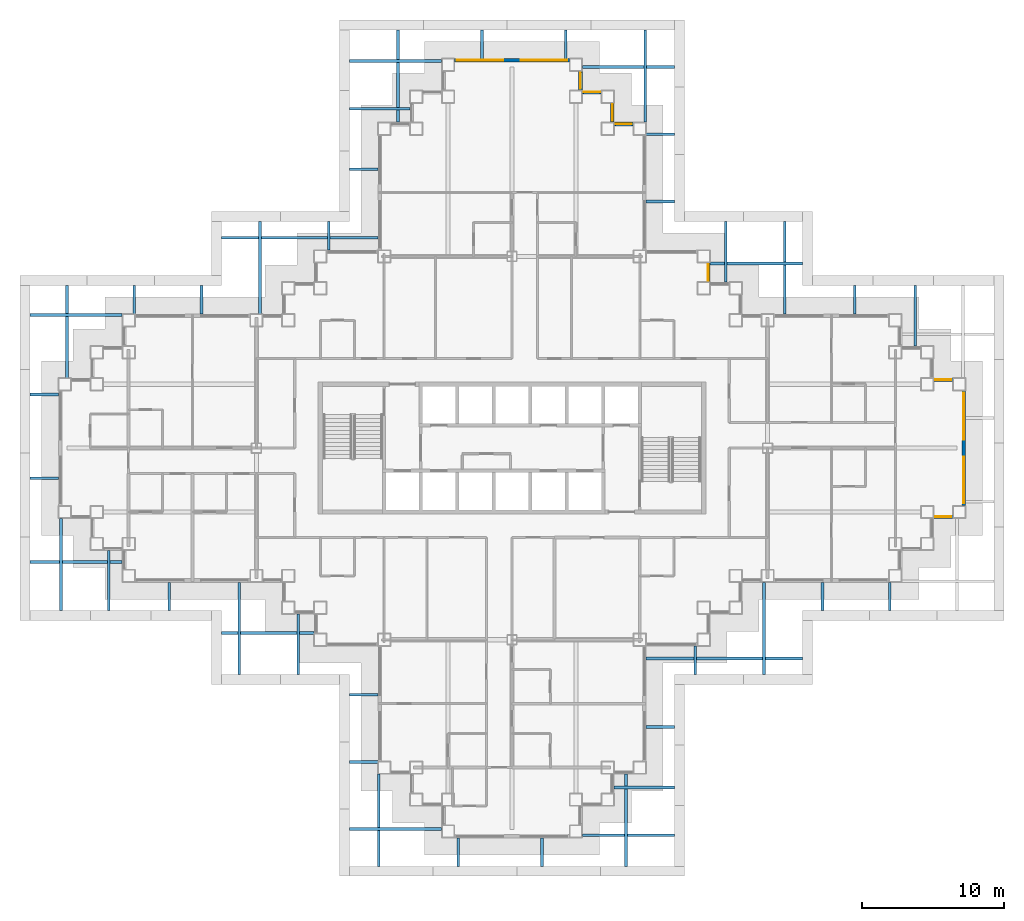
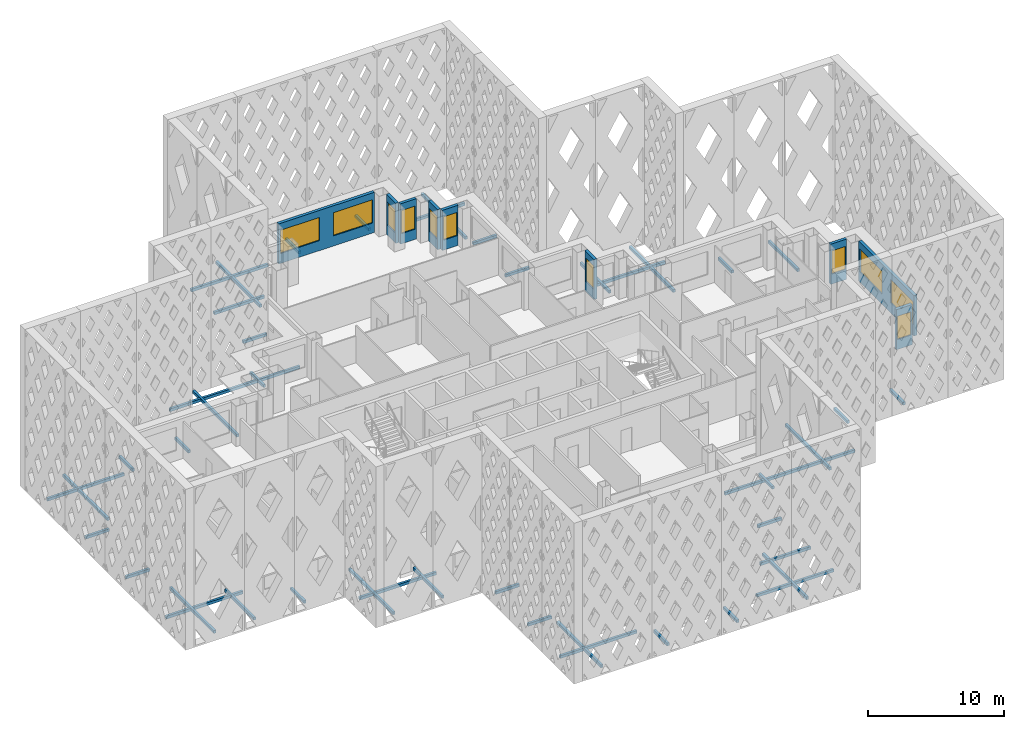
# One storey, part 9 of 21: 46 discrete accessories, 11 windows, 9 walls, 11 openings.
"""IFC4 building model written with IfcOpenShell, lengths in metres."""

from ifc_helpers import new_model, si_unit, direction, frame, frame_2d, origin, origin_2d, place, context, subcontext, project, spatial, rectangle, extrude, material, layer, layer_set, type_object, element, fill, save


model = new_model("IFC4")

# Units and contexts
model_context = context("Model", 3, precision=1e-05, world=origin(), true_north=direction((0.0, 1.0)))
body_context = subcontext(model_context, "Body", "Model", "MODEL_VIEW")
ifc_project = project(units=[si_unit("LENGTHUNIT", "METRE"), si_unit("AREAUNIT", "SQUARE_METRE"), si_unit("VOLUMEUNIT", "CUBIC_METRE"), si_unit("PLANEANGLEUNIT", "RADIAN"), si_unit("MASSUNIT", "GRAM", prefix="KILO")], contexts=[model_context])

# Site, building, storey
site_placement = place(None, origin())
site = spatial("IfcSite", under=ifc_project, at=site_placement, CompositionType="ELEMENT")
building_placement = place(site_placement, origin())
building = spatial("IfcBuilding", under=site, at=building_placement, Name="Caravel Reach Hotel and Residences", CompositionType="ELEMENT")
storey_placement = place(building_placement, frame((0.0, 0.0, 100.800048828125)))
storey = spatial("IfcBuildingStorey", under=building, at=storey_placement, Name="L24", CompositionType="ELEMENT", Elevation=100.800048828125)

# Wall, opening, window
ifc_material_1 = material(Name="Insulated rainscreen wall, aluminium cladding", Category="aluminium")
ifc_layer = layer(ifc_material_1, 0.25)
ifc_layer_set = layer_set([ifc_layer], Name="EW1 Tower rainscreen wall")
wall_type = type_object("IfcWallType", Name="EW1 Tower rainscreen wall", PredefinedType="SOLIDWALL", material=ifc_layer_set)
wall_1_placement = place(storey_placement, frame((61.199951171875, 22.175048828125, 0.0), z_axis=(0.0, 0.0, 1.0), x_axis=(1.0, 0.0, 0.0)))
wall_1 = element("IfcWall", 1, at=wall_1_placement, inside=storey, type_object=wall_type, Name="External wall L24 S19.1", PredefinedType="SOLIDWALL", context=body_context, shape_type="SweptSolid", body=[
    extrude(rectangle(XDim=1.35009765625, YDim=0.25, at=frame_2d((0.675048828125, 0.0))), origin(), (0.0, 0.0, 1.0), 3.599853515625),
])
opening_1_placement = place(wall_1_placement, frame((0.10009765625, 0.0, 0.89990234375)))
opening_1 = element("IfcOpeningElement", 2, at=opening_1_placement, cuts=wall_1, Name="Opening WN8", PredefinedType="OPENING", context=body_context, shape_type="SweptSolid", body=[
    extrude(rectangle(XDim=1.14990234375, YDim=2.080078125, at=frame_2d((0.574951171875, 1.0400390625))), frame((0.0, 0.135009765625, 0.0), z_axis=(0.0, -1.0, 0.0), x_axis=(1.0, 0.0, 0.0)), (0.0, 0.0, 1.0), 0.27001953125),
])
ifc_material_2 = material(Name="Dark low-e glazing in black aluminium frame", Category="aluminium")
window_type_1 = type_object("IfcWindowType", Name="Hotel suite corner window 1150 x 2080", PartitioningType="SINGLE_PANEL", PredefinedType="WINDOW", material=ifc_material_2)
window_1_placement = place(opening_1_placement, origin())
window_1 = element("IfcWindow", 3, at=window_1_placement, inside=storey, type_object=window_type_1, Name="Window L24 S19.1.1", OverallHeight=2.080078125, OverallWidth=1.14990234375, PartitioningType="SINGLE_PANEL", PredefinedType="WINDOW", context=body_context, shape_type="SweptSolid", body=[
    extrude(rectangle(XDim=1.14990234375, YDim=2.080078125, at=frame_2d((0.574951171875, 1.0400390625))), frame((0.0, 0.030029296875, 0.0), z_axis=(0.0, -1.0, 0.0), x_axis=(1.0, 0.0, 0.0)), (0.0, 0.0, 1.0), 0.06005859375),
])
fill(opening_1, window_1)

# Wall, openings, windows
wall_2_placement = place(storey_placement, frame((63.324951171875, 22.949951171875, 0.0), z_axis=(0.0, 0.0, 1.0), x_axis=(0.0, 1.0, 0.0)))
wall_2 = element("IfcWall", 4, at=wall_2_placement, inside=storey, type_object=wall_type, Name="External wall L24 E20.1", PredefinedType="SOLIDWALL", context=body_context, shape_type="SweptSolid", body=[
    extrude(rectangle(XDim=8.10009765625, YDim=0.25, at=frame_2d((4.050048828125, 0.0))), origin(), (0.0, 0.0, 1.0), 3.599853515625),
])
opening_2_placement = place(wall_2_placement, frame((0.14990234375, 0.0, 0.89990234375)))
opening_2 = element("IfcOpeningElement", 5, at=opening_2_placement, cuts=wall_2, Name="Opening WN4", PredefinedType="OPENING", context=body_context, shape_type="SweptSolid", body=[
    extrude(rectangle(XDim=3.300048828125, YDim=2.080078125, at=frame_2d((1.64990234375, 1.0400390625))), frame((0.0, 0.135009765625, 0.0), z_axis=(0.0, -1.0, 0.0), x_axis=(1.0, 0.0, 0.0)), (0.0, 0.0, 1.0), 0.27001953125),
])
opening_3_placement = place(wall_2_placement, frame((4.64990234375, 0.0, 0.89990234375)))
opening_3 = element("IfcOpeningElement", 6, at=opening_3_placement, cuts=wall_2, Name="Opening WN4", PredefinedType="OPENING", context=body_context, shape_type="SweptSolid", body=[
    extrude(rectangle(XDim=3.300048828125, YDim=2.080078125, at=frame_2d((1.64990234375, 1.0400390625))), frame((0.0, 0.135009765625, 0.0), z_axis=(0.0, -1.0, 0.0), x_axis=(1.0, 0.0, 0.0)), (0.0, 0.0, 1.0), 0.27001953125),
])
ifc_material_3 = material(Name="Dark low-e glazing in black aluminium frame", Category="aluminium")
window_type_2 = type_object("IfcWindowType", Name="Hotel guest room window 3300 x 2080", PartitioningType="SINGLE_PANEL", PredefinedType="WINDOW", material=ifc_material_3)
window_2_placement = place(opening_2_placement, origin())
window_2 = element("IfcWindow", 7, at=window_2_placement, inside=storey, type_object=window_type_2, Name="Window L24 E20.1.1", OverallHeight=2.080078125, OverallWidth=3.300048828125, PartitioningType="SINGLE_PANEL", PredefinedType="WINDOW", context=body_context, shape_type="SweptSolid", body=[
    extrude(rectangle(XDim=3.300048828125, YDim=2.080078125, at=frame_2d((1.64990234375, 1.0400390625))), frame((0.0, 0.030029296875, 0.0), z_axis=(0.0, -1.0, 0.0), x_axis=(1.0, 0.0, 0.0)), (0.0, 0.0, 1.0), 0.06005859375),
])
fill(opening_2, window_2)
window_3_placement = place(opening_3_placement, origin())
window_3 = element("IfcWindow", 8, at=window_3_placement, inside=storey, type_object=window_type_2, Name="Window L24 E20.1.2", OverallHeight=2.080078125, OverallWidth=3.300048828125, PartitioningType="SINGLE_PANEL", PredefinedType="WINDOW", context=body_context, shape_type="SweptSolid", body=[
    extrude(rectangle(XDim=3.300048828125, YDim=2.080078125, at=frame_2d((1.64990234375, 1.0400390625))), frame((0.0, 0.030029296875, 0.0), z_axis=(0.0, -1.0, 0.0), x_axis=(1.0, 0.0, 0.0)), (0.0, 0.0, 1.0), 0.06005859375),
])
fill(opening_3, window_3)

# Wall, opening, window
wall_3_placement = place(storey_placement, frame((62.550048828125, 31.824951171875, 0.0), z_axis=(0.0, 0.0, 1.0), x_axis=(-1.0, 0.0, 0.0)))
wall_3 = element("IfcWall", 9, at=wall_3_placement, inside=storey, type_object=wall_type, Name="External wall L24 N21.1", PredefinedType="SOLIDWALL", context=body_context, shape_type="SweptSolid", body=[
    extrude(rectangle(XDim=1.35009765625, YDim=0.25, at=frame_2d((0.675048828125, 0.0))), origin(), (0.0, 0.0, 1.0), 3.599853515625),
])
opening_4_placement = place(wall_3_placement, frame((0.10009765625, 0.0, 0.89990234375)))
opening_4 = element("IfcOpeningElement", 10, at=opening_4_placement, cuts=wall_3, Name="Opening WN8", PredefinedType="OPENING", context=body_context, shape_type="SweptSolid", body=[
    extrude(rectangle(XDim=1.14990234375, YDim=2.080078125, at=frame_2d((0.574951171875, 1.0400390625))), frame((0.0, 0.135009765625, 0.0), z_axis=(0.0, -1.0, 0.0), x_axis=(1.0, 0.0, 0.0)), (0.0, 0.0, 1.0), 0.27001953125),
])
window_4_placement = place(opening_4_placement, origin())
window_4 = element("IfcWindow", 11, at=window_4_placement, inside=storey, type_object=window_type_1, Name="Window L24 N21.1.1", OverallHeight=2.080078125, OverallWidth=1.14990234375, PartitioningType="SINGLE_PANEL", PredefinedType="WINDOW", context=body_context, shape_type="SweptSolid", body=[
    extrude(rectangle(XDim=1.14990234375, YDim=2.080078125, at=frame_2d((0.574951171875, 1.0400390625))), frame((0.0, 0.030029296875, 0.0), z_axis=(0.0, -1.0, 0.0), x_axis=(1.0, 0.0, 0.0)), (0.0, 0.0, 1.0), 0.06005859375),
])
fill(opening_4, window_4)

wall_4_placement = place(storey_placement, frame((45.324951171875, 38.699951171875, 0.0), z_axis=(0.0, 0.0, 1.0), x_axis=(0.0, 1.0, 0.0)))
wall_4 = element("IfcWall", 12, at=wall_4_placement, inside=storey, type_object=wall_type, Name="External wall L24 E28.1", PredefinedType="SOLIDWALL", context=body_context, shape_type="SweptSolid", body=[
    extrude(rectangle(XDim=1.35009765625, YDim=0.25, at=frame_2d((0.675048828125, 0.0))), origin(), (0.0, 0.0, 1.0), 3.599853515625),
])
opening_5_placement = place(wall_4_placement, frame((0.10009765625, 0.0, 0.89990234375)))
opening_5 = element("IfcOpeningElement", 13, at=opening_5_placement, cuts=wall_4, Name="Opening WN8", PredefinedType="OPENING", context=body_context, shape_type="SweptSolid", body=[
    extrude(rectangle(XDim=1.14990234375, YDim=2.080078125, at=frame_2d((0.574951171875, 1.0400390625))), frame((0.0, 0.135009765625, 0.0), z_axis=(0.0, -1.0, 0.0), x_axis=(1.0, 0.0, 0.0)), (0.0, 0.0, 1.0), 0.27001953125),
])
window_5_placement = place(opening_5_placement, origin())
window_5 = element("IfcWindow", 14, at=window_5_placement, inside=storey, type_object=window_type_1, Name="Window L24 E28.1.1", OverallHeight=2.080078125, OverallWidth=1.14990234375, PartitioningType="SINGLE_PANEL", PredefinedType="WINDOW", context=body_context, shape_type="SweptSolid", body=[
    extrude(rectangle(XDim=1.14990234375, YDim=2.080078125, at=frame_2d((0.574951171875, 1.0400390625))), frame((0.0, 0.030029296875, 0.0), z_axis=(0.0, -1.0, 0.0), x_axis=(1.0, 0.0, 0.0)), (0.0, 0.0, 1.0), 0.06005859375),
])
fill(opening_5, window_5)

wall_5_placement = place(storey_placement, frame((40.050048828125, 49.824951171875, 0.0), z_axis=(0.0, 0.0, 1.0), x_axis=(-1.0, 0.0, 0.0)))
wall_5 = element("IfcWall", 15, at=wall_5_placement, inside=storey, type_object=wall_type, Name="External wall L24 N31.1", PredefinedType="SOLIDWALL", context=body_context, shape_type="SweptSolid", body=[
    extrude(rectangle(XDim=1.35009765625, YDim=0.25, at=frame_2d((0.675048828125, 0.0))), origin(), (0.0, 0.0, 1.0), 3.599853515625),
])
opening_6_placement = place(wall_5_placement, frame((0.10009765625, 0.0, 0.89990234375)))
opening_6 = element("IfcOpeningElement", 16, at=opening_6_placement, cuts=wall_5, Name="Opening WN8", PredefinedType="OPENING", context=body_context, shape_type="SweptSolid", body=[
    extrude(rectangle(XDim=1.14990234375, YDim=2.080078125, at=frame_2d((0.574951171875, 1.0400390625))), frame((0.0, 0.135009765625, 0.0), z_axis=(0.0, -1.0, 0.0), x_axis=(1.0, 0.0, 0.0)), (0.0, 0.0, 1.0), 0.27001953125),
])
window_6_placement = place(opening_6_placement, origin())
window_6 = element("IfcWindow", 17, at=window_6_placement, inside=storey, type_object=window_type_1, Name="Window L24 N31.1.1", OverallHeight=2.080078125, OverallWidth=1.14990234375, PartitioningType="SINGLE_PANEL", PredefinedType="WINDOW", context=body_context, shape_type="SweptSolid", body=[
    extrude(rectangle(XDim=1.14990234375, YDim=2.080078125, at=frame_2d((0.574951171875, 1.0400390625))), frame((0.0, 0.030029296875, 0.0), z_axis=(0.0, -1.0, 0.0), x_axis=(1.0, 0.0, 0.0)), (0.0, 0.0, 1.0), 0.06005859375),
])
fill(opening_6, window_6)

wall_6_placement = place(storey_placement, frame((38.574951171875, 49.949951171875, 0.0), z_axis=(0.0, 0.0, 1.0), x_axis=(0.0, 1.0, 0.0)))
wall_6 = element("IfcWall", 18, at=wall_6_placement, inside=storey, type_object=wall_type, Name="External wall L24 E32.1", PredefinedType="SOLIDWALL", context=body_context, shape_type="SweptSolid", body=[
    extrude(rectangle(XDim=1.35009765625, YDim=0.25, at=frame_2d((0.675048828125, 0.0))), origin(), (0.0, 0.0, 1.0), 3.599853515625),
])
opening_7_placement = place(wall_6_placement, frame((0.10009765625, 0.0, 0.89990234375)))
opening_7 = element("IfcOpeningElement", 19, at=opening_7_placement, cuts=wall_6, Name="Opening WN8", PredefinedType="OPENING", context=body_context, shape_type="SweptSolid", body=[
    extrude(rectangle(XDim=1.14990234375, YDim=2.080078125, at=frame_2d((0.574951171875, 1.0400390625))), frame((0.0, 0.135009765625, 0.0), z_axis=(0.0, -1.0, 0.0), x_axis=(1.0, 0.0, 0.0)), (0.0, 0.0, 1.0), 0.27001953125),
])
window_7_placement = place(opening_7_placement, origin())
window_7 = element("IfcWindow", 20, at=window_7_placement, inside=storey, type_object=window_type_1, Name="Window L24 E32.1.1", OverallHeight=2.080078125, OverallWidth=1.14990234375, PartitioningType="SINGLE_PANEL", PredefinedType="WINDOW", context=body_context, shape_type="SweptSolid", body=[
    extrude(rectangle(XDim=1.14990234375, YDim=2.080078125, at=frame_2d((0.574951171875, 1.0400390625))), frame((0.0, 0.030029296875, 0.0), z_axis=(0.0, -1.0, 0.0), x_axis=(1.0, 0.0, 0.0)), (0.0, 0.0, 1.0), 0.06005859375),
])
fill(opening_7, window_7)

wall_7_placement = place(storey_placement, frame((37.800048828125, 52.074951171875, 0.0), z_axis=(0.0, 0.0, 1.0), x_axis=(-1.0, 0.0, 0.0)))
wall_7 = element("IfcWall", 21, at=wall_7_placement, inside=storey, type_object=wall_type, Name="External wall L24 N33.1", PredefinedType="SOLIDWALL", context=body_context, shape_type="SweptSolid", body=[
    extrude(rectangle(XDim=1.35009765625, YDim=0.25, at=frame_2d((0.675048828125, 0.0))), origin(), (0.0, 0.0, 1.0), 3.599853515625),
])
opening_8_placement = place(wall_7_placement, frame((0.10009765625, 0.0, 0.89990234375)))
opening_8 = element("IfcOpeningElement", 22, at=opening_8_placement, cuts=wall_7, Name="Opening WN8", PredefinedType="OPENING", context=body_context, shape_type="SweptSolid", body=[
    extrude(rectangle(XDim=1.14990234375, YDim=2.080078125, at=frame_2d((0.574951171875, 1.0400390625))), frame((0.0, 0.135009765625, 0.0), z_axis=(0.0, -1.0, 0.0), x_axis=(1.0, 0.0, 0.0)), (0.0, 0.0, 1.0), 0.27001953125),
])
window_8_placement = place(opening_8_placement, origin())
window_8 = element("IfcWindow", 23, at=window_8_placement, inside=storey, type_object=window_type_1, Name="Window L24 N33.1.1", OverallHeight=2.080078125, OverallWidth=1.14990234375, PartitioningType="SINGLE_PANEL", PredefinedType="WINDOW", context=body_context, shape_type="SweptSolid", body=[
    extrude(rectangle(XDim=1.14990234375, YDim=2.080078125, at=frame_2d((0.574951171875, 1.0400390625))), frame((0.0, 0.030029296875, 0.0), z_axis=(0.0, -1.0, 0.0), x_axis=(1.0, 0.0, 0.0)), (0.0, 0.0, 1.0), 0.06005859375),
])
fill(opening_8, window_8)

wall_8_placement = place(storey_placement, frame((36.324951171875, 52.199951171875, 0.0), z_axis=(0.0, 0.0, 1.0), x_axis=(0.0, 1.0, 0.0)))
wall_8 = element("IfcWall", 24, at=wall_8_placement, inside=storey, type_object=wall_type, Name="External wall L24 E34.1", PredefinedType="SOLIDWALL", context=body_context, shape_type="SweptSolid", body=[
    extrude(rectangle(XDim=1.35009765625, YDim=0.25, at=frame_2d((0.675048828125, 0.0))), origin(), (0.0, 0.0, 1.0), 3.599853515625),
])
opening_9_placement = place(wall_8_placement, frame((0.10009765625, 0.0, 0.89990234375)))
opening_9 = element("IfcOpeningElement", 25, at=opening_9_placement, cuts=wall_8, Name="Opening WN8", PredefinedType="OPENING", context=body_context, shape_type="SweptSolid", body=[
    extrude(rectangle(XDim=1.14990234375, YDim=2.080078125, at=frame_2d((0.574951171875, 1.0400390625))), frame((0.0, 0.135009765625, 0.0), z_axis=(0.0, -1.0, 0.0), x_axis=(1.0, 0.0, 0.0)), (0.0, 0.0, 1.0), 0.27001953125),
])
window_9_placement = place(opening_9_placement, origin())
window_9 = element("IfcWindow", 26, at=window_9_placement, inside=storey, type_object=window_type_1, Name="Window L24 E34.1.1", OverallHeight=2.080078125, OverallWidth=1.14990234375, PartitioningType="SINGLE_PANEL", PredefinedType="WINDOW", context=body_context, shape_type="SweptSolid", body=[
    extrude(rectangle(XDim=1.14990234375, YDim=2.080078125, at=frame_2d((0.574951171875, 1.0400390625))), frame((0.0, 0.030029296875, 0.0), z_axis=(0.0, -1.0, 0.0), x_axis=(1.0, 0.0, 0.0)), (0.0, 0.0, 1.0), 0.06005859375),
])
fill(opening_9, window_9)

# Wall, openings, windows
wall_9_placement = place(storey_placement, frame((35.550048828125, 54.324951171875, 0.0), z_axis=(0.0, 0.0, 1.0), x_axis=(-1.0, 0.0, 0.0)))
wall_9 = element("IfcWall", 27, at=wall_9_placement, inside=storey, type_object=wall_type, Name="External wall L24 N35.1", PredefinedType="SOLIDWALL", context=body_context, shape_type="SweptSolid", body=[
    extrude(rectangle(XDim=8.10009765625, YDim=0.25, at=frame_2d((4.050048828125, 0.0))), origin(), (0.0, 0.0, 1.0), 3.599853515625),
])
opening_10_placement = place(wall_9_placement, frame((0.14990234375, 0.0, 0.89990234375)))
opening_10 = element("IfcOpeningElement", 28, at=opening_10_placement, cuts=wall_9, Name="Opening WN4", PredefinedType="OPENING", context=body_context, shape_type="SweptSolid", body=[
    extrude(rectangle(XDim=3.300048828125, YDim=2.080078125, at=frame_2d((1.64990234375, 1.0400390625))), frame((0.0, 0.135009765625, 0.0), z_axis=(0.0, -1.0, 0.0), x_axis=(1.0, 0.0, 0.0)), (0.0, 0.0, 1.0), 0.27001953125),
])
opening_11_placement = place(wall_9_placement, frame((4.64990234375, 0.0, 0.89990234375)))
opening_11 = element("IfcOpeningElement", 29, at=opening_11_placement, cuts=wall_9, Name="Opening WN4", PredefinedType="OPENING", context=body_context, shape_type="SweptSolid", body=[
    extrude(rectangle(XDim=3.300048828125, YDim=2.080078125, at=frame_2d((1.64990234375, 1.0400390625))), frame((0.0, 0.135009765625, 0.0), z_axis=(0.0, -1.0, 0.0), x_axis=(1.0, 0.0, 0.0)), (0.0, 0.0, 1.0), 0.27001953125),
])
window_10_placement = place(opening_10_placement, origin())
window_10 = element("IfcWindow", 30, at=window_10_placement, inside=storey, type_object=window_type_2, Name="Window L24 N35.1.1", OverallHeight=2.080078125, OverallWidth=3.300048828125, PartitioningType="SINGLE_PANEL", PredefinedType="WINDOW", context=body_context, shape_type="SweptSolid", body=[
    extrude(rectangle(XDim=3.300048828125, YDim=2.080078125, at=frame_2d((1.64990234375, 1.0400390625))), frame((0.0, 0.030029296875, 0.0), z_axis=(0.0, -1.0, 0.0), x_axis=(1.0, 0.0, 0.0)), (0.0, 0.0, 1.0), 0.06005859375),
])
fill(opening_10, window_10)
window_11_placement = place(opening_11_placement, origin())
window_11 = element("IfcWindow", 31, at=window_11_placement, inside=storey, type_object=window_type_2, Name="Window L24 N35.1.2", OverallHeight=2.080078125, OverallWidth=3.300048828125, PartitioningType="SINGLE_PANEL", PredefinedType="WINDOW", context=body_context, shape_type="SweptSolid", body=[
    extrude(rectangle(XDim=3.300048828125, YDim=2.080078125, at=frame_2d((1.64990234375, 1.0400390625))), frame((0.0, 0.030029296875, 0.0), z_axis=(0.0, -1.0, 0.0), x_axis=(1.0, 0.0, 0.0)), (0.0, 0.0, 1.0), 0.06005859375),
])
fill(opening_11, window_11)

# Discrete accessories
ifc_material_4 = material(Name="Black powder-coated aluminium", Category="aluminium")
discrete_accessory_type = type_object("IfcDiscreteAccessoryType", Name="BR1 Screen bracket", PredefinedType="BRACKET", material=ifc_material_4)
for number, where, z_axis, x_axis, name in (
    (32, (21.050048828125, 9.6298828125, 0.099853515625), (0.0, 0.0, 1.0), (-1.0, 0.0, 0.0), "Screen bracket L24 1.1.1"),
    (33, (21.050048828125, 4.896728515625, 0.099853515625), (0.0, 0.0, 1.0), (-1.0, 0.0, 0.0), "Screen bracket L24 1.2.1"),
):
    element("IfcDiscreteAccessory", number, at=place(storey_placement, frame(where, z_axis=z_axis, x_axis=x_axis)), inside=storey, type_object=discrete_accessory_type, Name=name, PredefinedType="BRACKET", context=body_context, shape_type="SweptSolid", body=[
        extrude(rectangle(XDim=2.0, YDim=0.199951171875, at=origin_2d()), origin(), (0.0, 0.0, 1.0), 0.25),
    ])
for number, where, z_axis, x_axis, name in (
    (34, (23.300048828125, 0.163330078125, 0.099853515625), (0.0, 0.0, 1.0), (-1.0, 0.0, 0.0), "Screen bracket L24 1.3.1"),
    (35, (22.1201171875, 0.800048828125, 0.099853515625), (0.0, 0.0, 1.0), (0.0, -1.0, 0.0), "Screen bracket L24 2.1.1"),
):
    element("IfcDiscreteAccessory", number, at=place(storey_placement, frame(where, z_axis=z_axis, x_axis=x_axis)), inside=storey, type_object=discrete_accessory_type, Name=name, PredefinedType="BRACKET", context=body_context, shape_type="SweptSolid", body=[
        extrude(rectangle(XDim=6.5, YDim=0.199951171875, at=origin_2d()), origin(), (0.0, 0.0, 1.0), 0.25),
    ])
for number, where, z_axis, x_axis, name in (
    (36, (27.719970703125, -1.449951171875, 0.099853515625), (0.0, 0.0, 1.0), (0.0, -1.0, 0.0), "Screen bracket L24 2.2.1"),
    (37, (33.6201171875, -1.449951171875, 0.099853515625), (0.0, 0.0, 1.0), (0.0, -1.0, 0.0), "Screen bracket L24 2.3.1"),
):
    element("IfcDiscreteAccessory", number, at=place(storey_placement, frame(where, z_axis=z_axis, x_axis=x_axis)), inside=storey, type_object=discrete_accessory_type, Name=name, PredefinedType="BRACKET", context=body_context, shape_type="SweptSolid", body=[
        extrude(rectangle(XDim=2.0, YDim=0.199951171875, at=origin_2d()), origin(), (0.0, 0.0, 1.0), 0.25),
    ])
for number, where, z_axis, x_axis, name in (
    (38, (39.52001953125, 0.800048828125, 0.099853515625), (0.0, 0.0, 1.0), (0.0, -1.0, 0.0), "Screen bracket L24 2.4.1"),
    (39, (39.699951171875, -0.27001953125, 0.099853515625), (0.0, 0.0, 1.0), (1.0, 0.0, 0.0), "Screen bracket L24 3.1.1"),
):
    element("IfcDiscreteAccessory", number, at=place(storey_placement, frame(where, z_axis=z_axis, x_axis=x_axis)), inside=storey, type_object=discrete_accessory_type, Name=name, PredefinedType="BRACKET", context=body_context, shape_type="SweptSolid", body=[
        extrude(rectangle(XDim=6.5, YDim=0.199951171875, at=origin_2d()), origin(), (0.0, 0.0, 1.0), 0.25),
    ])
discrete_accessory_1_placement = place(storey_placement, frame((40.824951171875, 3.0966796875, 0.099853515625), z_axis=(0.0, 0.0, 1.0), x_axis=(1.0, 0.0, 0.0)))
element("IfcDiscreteAccessory", 40, at=discrete_accessory_1_placement, inside=storey, type_object=discrete_accessory_type, Name="Screen bracket L24 3.2.1", PredefinedType="BRACKET", context=body_context, shape_type="SweptSolid", body=[
    extrude(rectangle(XDim=4.25, YDim=0.199951171875, at=origin_2d()), origin(), (0.0, 0.0, 1.0), 0.25),
])
for number, where, z_axis, x_axis, name in (
    (41, (41.949951171875, 7.36328125, 0.099853515625), (0.0, 0.0, 1.0), (1.0, 0.0, 0.0), "Screen bracket L24 3.3.1"),
    (42, (44.405029296875, 12.050048828125, 0.099853515625), (0.0, 0.0, 1.0), (0.0, -1.0, 0.0), "Screen bracket L24 4.1.1"),
):
    element("IfcDiscreteAccessory", number, at=place(storey_placement, frame(where, z_axis=z_axis, x_axis=x_axis)), inside=storey, type_object=discrete_accessory_type, Name=name, PredefinedType="BRACKET", context=body_context, shape_type="SweptSolid", body=[
        extrude(rectangle(XDim=2.0, YDim=0.199951171875, at=origin_2d()), origin(), (0.0, 0.0, 1.0), 0.25),
    ])
discrete_accessory_2_placement = place(storey_placement, frame((49.2548828125, 14.300048828125, 0.099853515625), z_axis=(0.0, 0.0, 1.0), x_axis=(0.0, -1.0, 0.0)))
element("IfcDiscreteAccessory", 43, at=discrete_accessory_2_placement, inside=storey, type_object=discrete_accessory_type, Name="Screen bracket L24 4.2.1", PredefinedType="BRACKET", context=body_context, shape_type="SweptSolid", body=[
    extrude(rectangle(XDim=6.5, YDim=0.199951171875, at=origin_2d()), origin(), (0.0, 0.0, 1.0), 0.25),
])
discrete_accessory_3_placement = place(storey_placement, frame((46.449951171875, 12.18994140625, 0.099853515625), z_axis=(0.0, 0.0, 1.0), x_axis=(1.0, 0.0, 0.0)))
element("IfcDiscreteAccessory", 44, at=discrete_accessory_3_placement, inside=storey, type_object=discrete_accessory_type, Name="Screen bracket L24 5.1.1", PredefinedType="BRACKET", context=body_context, shape_type="SweptSolid", body=[
    extrude(rectangle(XDim=11.0, YDim=0.199951171875, at=origin_2d()), origin(), (0.0, 0.0, 1.0), 0.25),
])
for number, where, z_axis, x_axis, name in (
    (45, (53.3701171875, 16.550048828125, 0.099853515625), (0.0, 0.0, 1.0), (0.0, -1.0, 0.0), "Screen bracket L24 6.1.1"),
    (46, (58.103271484375, 16.550048828125, 0.099853515625), (0.0, 0.0, 1.0), (0.0, -1.0, 0.0), "Screen bracket L24 6.2.1"),
):
    element("IfcDiscreteAccessory", number, at=place(storey_placement, frame(where, z_axis=z_axis, x_axis=x_axis)), inside=storey, type_object=discrete_accessory_type, Name=name, PredefinedType="BRACKET", context=body_context, shape_type="SweptSolid", body=[
        extrude(rectangle(XDim=2.0, YDim=0.199951171875, at=origin_2d()), origin(), (0.0, 0.0, 1.0), 0.25),
    ])
discrete_accessory_4_placement = place(storey_placement, frame((59.9033203125, 36.324951171875, 0.099853515625), z_axis=(0.0, 0.0, 1.0), x_axis=(0.0, 1.0, 0.0)))
element("IfcDiscreteAccessory", 47, at=discrete_accessory_4_placement, inside=storey, type_object=discrete_accessory_type, Name="Screen bracket L24 8.2.1", PredefinedType="BRACKET", context=body_context, shape_type="SweptSolid", body=[
    extrude(rectangle(XDim=4.25, YDim=0.199951171875, at=origin_2d()), origin(), (0.0, 0.0, 1.0), 0.25),
])
discrete_accessory_5_placement = place(storey_placement, frame((55.63671875, 37.449951171875, 0.099853515625), z_axis=(0.0, 0.0, 1.0), x_axis=(0.0, 1.0, 0.0)))
element("IfcDiscreteAccessory", 48, at=discrete_accessory_5_placement, inside=storey, type_object=discrete_accessory_type, Name="Screen bracket L24 8.3.1", PredefinedType="BRACKET", context=body_context, shape_type="SweptSolid", body=[
    extrude(rectangle(XDim=2.0, YDim=0.199951171875, at=origin_2d()), origin(), (0.0, 0.0, 1.0), 0.25),
])
for number, where, z_axis, x_axis, name in (
    (49, (48.699951171875, 40.010009765625, 0.099853515625), (0.0, 0.0, 1.0), (1.0, 0.0, 0.0), "Screen bracket L24 9.1.1"),
    (50, (50.705078125, 39.699951171875, 0.099853515625), (0.0, 0.0, 1.0), (0.0, 1.0, 0.0), "Screen bracket L24 10.1.1"),
):
    element("IfcDiscreteAccessory", number, at=place(storey_placement, frame(where, z_axis=z_axis, x_axis=x_axis)), inside=storey, type_object=discrete_accessory_type, Name=name, PredefinedType="BRACKET", context=body_context, shape_type="SweptSolid", body=[
        extrude(rectangle(XDim=6.5, YDim=0.199951171875, at=origin_2d()), origin(), (0.0, 0.0, 1.0), 0.25),
    ])
discrete_accessory_6_placement = place(storey_placement, frame((46.554931640625, 40.824951171875, 0.099853515625), z_axis=(0.0, 0.0, 1.0), x_axis=(0.0, 1.0, 0.0)))
element("IfcDiscreteAccessory", 51, at=discrete_accessory_6_placement, inside=storey, type_object=discrete_accessory_type, Name="Screen bracket L24 10.2.1", PredefinedType="BRACKET", context=body_context, shape_type="SweptSolid", body=[
    extrude(rectangle(XDim=4.25, YDim=0.199951171875, at=origin_2d()), origin(), (0.0, 0.0, 1.0), 0.25),
])
for number, where, z_axis, x_axis, name in (
    (52, (41.949951171875, 44.3701171875, 0.099853515625), (0.0, 0.0, 1.0), (1.0, 0.0, 0.0), "Screen bracket L24 11.1.1"),
    (53, (41.949951171875, 49.103271484375, 0.099853515625), (0.0, 0.0, 1.0), (1.0, 0.0, 0.0), "Screen bracket L24 11.2.1"),
):
    element("IfcDiscreteAccessory", number, at=place(storey_placement, frame(where, z_axis=z_axis, x_axis=x_axis)), inside=storey, type_object=discrete_accessory_type, Name=name, PredefinedType="BRACKET", context=body_context, shape_type="SweptSolid", body=[
        extrude(rectangle(XDim=2.0, YDim=0.199951171875, at=origin_2d()), origin(), (0.0, 0.0, 1.0), 0.25),
    ])
for number, where, z_axis, x_axis, name in (
    (54, (39.699951171875, 53.836669921875, 0.099853515625), (0.0, 0.0, 1.0), (1.0, 0.0, 0.0), "Screen bracket L24 11.3.1"),
    (55, (40.8798828125, 53.199951171875, 0.099853515625), (0.0, 0.0, 1.0), (0.0, 1.0, 0.0), "Screen bracket L24 12.1.1"),
):
    element("IfcDiscreteAccessory", number, at=place(storey_placement, frame(where, z_axis=z_axis, x_axis=x_axis)), inside=storey, type_object=discrete_accessory_type, Name=name, PredefinedType="BRACKET", context=body_context, shape_type="SweptSolid", body=[
        extrude(rectangle(XDim=6.5, YDim=0.199951171875, at=origin_2d()), origin(), (0.0, 0.0, 1.0), 0.25),
    ])
for number, where, z_axis, x_axis, name in (
    (56, (35.280029296875, 55.449951171875, 0.099853515625), (0.0, 0.0, 1.0), (0.0, 1.0, 0.0), "Screen bracket L24 12.2.1"),
    (57, (29.3798828125, 55.449951171875, 0.099853515625), (0.0, 0.0, 1.0), (0.0, 1.0, 0.0), "Screen bracket L24 12.3.1"),
):
    element("IfcDiscreteAccessory", number, at=place(storey_placement, frame(where, z_axis=z_axis, x_axis=x_axis)), inside=storey, type_object=discrete_accessory_type, Name=name, PredefinedType="BRACKET", context=body_context, shape_type="SweptSolid", body=[
        extrude(rectangle(XDim=2.0, YDim=0.199951171875, at=origin_2d()), origin(), (0.0, 0.0, 1.0), 0.25),
    ])
for number, where, z_axis, x_axis, name in (
    (58, (23.47998046875, 53.199951171875, 0.099853515625), (0.0, 0.0, 1.0), (0.0, 1.0, 0.0), "Screen bracket L24 12.4.1"),
    (59, (23.300048828125, 54.27001953125, 0.099853515625), (0.0, 0.0, 1.0), (-1.0, 0.0, 0.0), "Screen bracket L24 13.1.1"),
):
    element("IfcDiscreteAccessory", number, at=place(storey_placement, frame(where, z_axis=z_axis, x_axis=x_axis)), inside=storey, type_object=discrete_accessory_type, Name=name, PredefinedType="BRACKET", context=body_context, shape_type="SweptSolid", body=[
        extrude(rectangle(XDim=6.5, YDim=0.199951171875, at=origin_2d()), origin(), (0.0, 0.0, 1.0), 0.25),
    ])
discrete_accessory_7_placement = place(storey_placement, frame((22.175048828125, 50.9033203125, 0.099853515625), z_axis=(0.0, 0.0, 1.0), x_axis=(-1.0, 0.0, 0.0)))
element("IfcDiscreteAccessory", 60, at=discrete_accessory_7_placement, inside=storey, type_object=discrete_accessory_type, Name="Screen bracket L24 13.2.1", PredefinedType="BRACKET", context=body_context, shape_type="SweptSolid", body=[
    extrude(rectangle(XDim=4.25, YDim=0.199951171875, at=origin_2d()), origin(), (0.0, 0.0, 1.0), 0.25),
])
for number, where, z_axis, x_axis, name in (
    (61, (21.050048828125, 46.63671875, 0.099853515625), (0.0, 0.0, 1.0), (-1.0, 0.0, 0.0), "Screen bracket L24 13.3.1"),
    (62, (18.594970703125, 41.949951171875, 0.099853515625), (0.0, 0.0, 1.0), (0.0, 1.0, 0.0), "Screen bracket L24 14.1.1"),
):
    element("IfcDiscreteAccessory", number, at=place(storey_placement, frame(where, z_axis=z_axis, x_axis=x_axis)), inside=storey, type_object=discrete_accessory_type, Name=name, PredefinedType="BRACKET", context=body_context, shape_type="SweptSolid", body=[
        extrude(rectangle(XDim=2.0, YDim=0.199951171875, at=origin_2d()), origin(), (0.0, 0.0, 1.0), 0.25),
    ])
discrete_accessory_8_placement = place(storey_placement, frame((13.7451171875, 39.699951171875, 0.099853515625), z_axis=(0.0, 0.0, 1.0), x_axis=(0.0, 1.0, 0.0)))
element("IfcDiscreteAccessory", 63, at=discrete_accessory_8_placement, inside=storey, type_object=discrete_accessory_type, Name="Screen bracket L24 14.2.1", PredefinedType="BRACKET", context=body_context, shape_type="SweptSolid", body=[
    extrude(rectangle(XDim=6.5, YDim=0.199951171875, at=origin_2d()), origin(), (0.0, 0.0, 1.0), 0.25),
])
discrete_accessory_9_placement = place(storey_placement, frame((16.550048828125, 41.81005859375, 0.099853515625), z_axis=(0.0, 0.0, 1.0), x_axis=(-1.0, 0.0, 0.0)))
element("IfcDiscreteAccessory", 64, at=discrete_accessory_9_placement, inside=storey, type_object=discrete_accessory_type, Name="Screen bracket L24 15.1.1", PredefinedType="BRACKET", context=body_context, shape_type="SweptSolid", body=[
    extrude(rectangle(XDim=11.0, YDim=0.199951171875, at=origin_2d()), origin(), (0.0, 0.0, 1.0), 0.25),
])
for number, where, z_axis, x_axis, name in (
    (65, (9.6298828125, 37.449951171875, 0.099853515625), (0.0, 0.0, 1.0), (0.0, 1.0, 0.0), "Screen bracket L24 16.1.1"),
    (66, (4.896728515625, 37.449951171875, 0.099853515625), (0.0, 0.0, 1.0), (0.0, 1.0, 0.0), "Screen bracket L24 16.2.1"),
):
    element("IfcDiscreteAccessory", number, at=place(storey_placement, frame(where, z_axis=z_axis, x_axis=x_axis)), inside=storey, type_object=discrete_accessory_type, Name=name, PredefinedType="BRACKET", context=body_context, shape_type="SweptSolid", body=[
        extrude(rectangle(XDim=2.0, YDim=0.199951171875, at=origin_2d()), origin(), (0.0, 0.0, 1.0), 0.25),
    ])
for number, where, z_axis, x_axis, name in (
    (67, (0.163330078125, 35.199951171875, 0.099853515625), (0.0, 0.0, 1.0), (0.0, 1.0, 0.0), "Screen bracket L24 16.3.1"),
    (68, (0.800048828125, 36.3798828125, 0.099853515625), (0.0, 0.0, 1.0), (-1.0, 0.0, 0.0), "Screen bracket L24 17.1.1"),
):
    element("IfcDiscreteAccessory", number, at=place(storey_placement, frame(where, z_axis=z_axis, x_axis=x_axis)), inside=storey, type_object=discrete_accessory_type, Name=name, PredefinedType="BRACKET", context=body_context, shape_type="SweptSolid", body=[
        extrude(rectangle(XDim=6.5, YDim=0.199951171875, at=origin_2d()), origin(), (0.0, 0.0, 1.0), 0.25),
    ])
for number, where, z_axis, x_axis, name in (
    (69, (-1.449951171875, 30.780029296875, 0.099853515625), (0.0, 0.0, 1.0), (-1.0, 0.0, 0.0), "Screen bracket L24 17.2.1"),
    (70, (-1.449951171875, 24.8798828125, 0.099853515625), (0.0, 0.0, 1.0), (-1.0, 0.0, 0.0), "Screen bracket L24 17.3.1"),
):
    element("IfcDiscreteAccessory", number, at=place(storey_placement, frame(where, z_axis=z_axis, x_axis=x_axis)), inside=storey, type_object=discrete_accessory_type, Name=name, PredefinedType="BRACKET", context=body_context, shape_type="SweptSolid", body=[
        extrude(rectangle(XDim=2.0, YDim=0.199951171875, at=origin_2d()), origin(), (0.0, 0.0, 1.0), 0.25),
    ])
for number, where, z_axis, x_axis, name in (
    (71, (0.800048828125, 18.97998046875, 0.099853515625), (0.0, 0.0, 1.0), (-1.0, 0.0, 0.0), "Screen bracket L24 17.4.1"),
    (72, (-0.27001953125, 18.800048828125, 0.099853515625), (0.0, 0.0, 1.0), (0.0, -1.0, 0.0), "Screen bracket L24 18.1.1"),
):
    element("IfcDiscreteAccessory", number, at=place(storey_placement, frame(where, z_axis=z_axis, x_axis=x_axis)), inside=storey, type_object=discrete_accessory_type, Name=name, PredefinedType="BRACKET", context=body_context, shape_type="SweptSolid", body=[
        extrude(rectangle(XDim=6.5, YDim=0.199951171875, at=origin_2d()), origin(), (0.0, 0.0, 1.0), 0.25),
    ])
discrete_accessory_10_placement = place(storey_placement, frame((3.0966796875, 17.675048828125, 0.099853515625), z_axis=(0.0, 0.0, 1.0), x_axis=(0.0, -1.0, 0.0)))
element("IfcDiscreteAccessory", 73, at=discrete_accessory_10_placement, inside=storey, type_object=discrete_accessory_type, Name="Screen bracket L24 18.2.1", PredefinedType="BRACKET", context=body_context, shape_type="SweptSolid", body=[
    extrude(rectangle(XDim=4.25, YDim=0.199951171875, at=origin_2d()), origin(), (0.0, 0.0, 1.0), 0.25),
])
discrete_accessory_11_placement = place(storey_placement, frame((7.36328125, 16.550048828125, 0.099853515625), z_axis=(0.0, 0.0, 1.0), x_axis=(0.0, -1.0, 0.0)))
element("IfcDiscreteAccessory", 74, at=discrete_accessory_11_placement, inside=storey, type_object=discrete_accessory_type, Name="Screen bracket L24 18.3.1", PredefinedType="BRACKET", context=body_context, shape_type="SweptSolid", body=[
    extrude(rectangle(XDim=2.0, YDim=0.199951171875, at=origin_2d()), origin(), (0.0, 0.0, 1.0), 0.25),
])
for number, where, z_axis, x_axis, name in (
    (75, (14.300048828125, 13.989990234375, 0.099853515625), (0.0, 0.0, 1.0), (-1.0, 0.0, 0.0), "Screen bracket L24 19.1.1"),
    (76, (12.294921875, 14.300048828125, 0.099853515625), (0.0, 0.0, 1.0), (0.0, -1.0, 0.0), "Screen bracket L24 20.1.1"),
):
    element("IfcDiscreteAccessory", number, at=place(storey_placement, frame(where, z_axis=z_axis, x_axis=x_axis)), inside=storey, type_object=discrete_accessory_type, Name=name, PredefinedType="BRACKET", context=body_context, shape_type="SweptSolid", body=[
        extrude(rectangle(XDim=6.5, YDim=0.199951171875, at=origin_2d()), origin(), (0.0, 0.0, 1.0), 0.25),
    ])
discrete_accessory_12_placement = place(storey_placement, frame((16.445068359375, 13.175048828125, 0.099853515625), z_axis=(0.0, 0.0, 1.0), x_axis=(0.0, -1.0, 0.0)))
element("IfcDiscreteAccessory", 77, at=discrete_accessory_12_placement, inside=storey, type_object=discrete_accessory_type, Name="Screen bracket L24 20.2.1", PredefinedType="BRACKET", context=body_context, shape_type="SweptSolid", body=[
    extrude(rectangle(XDim=4.25, YDim=0.199951171875, at=origin_2d()), origin(), (0.0, 0.0, 1.0), 0.25),
])

save(model, "model.ifc")
